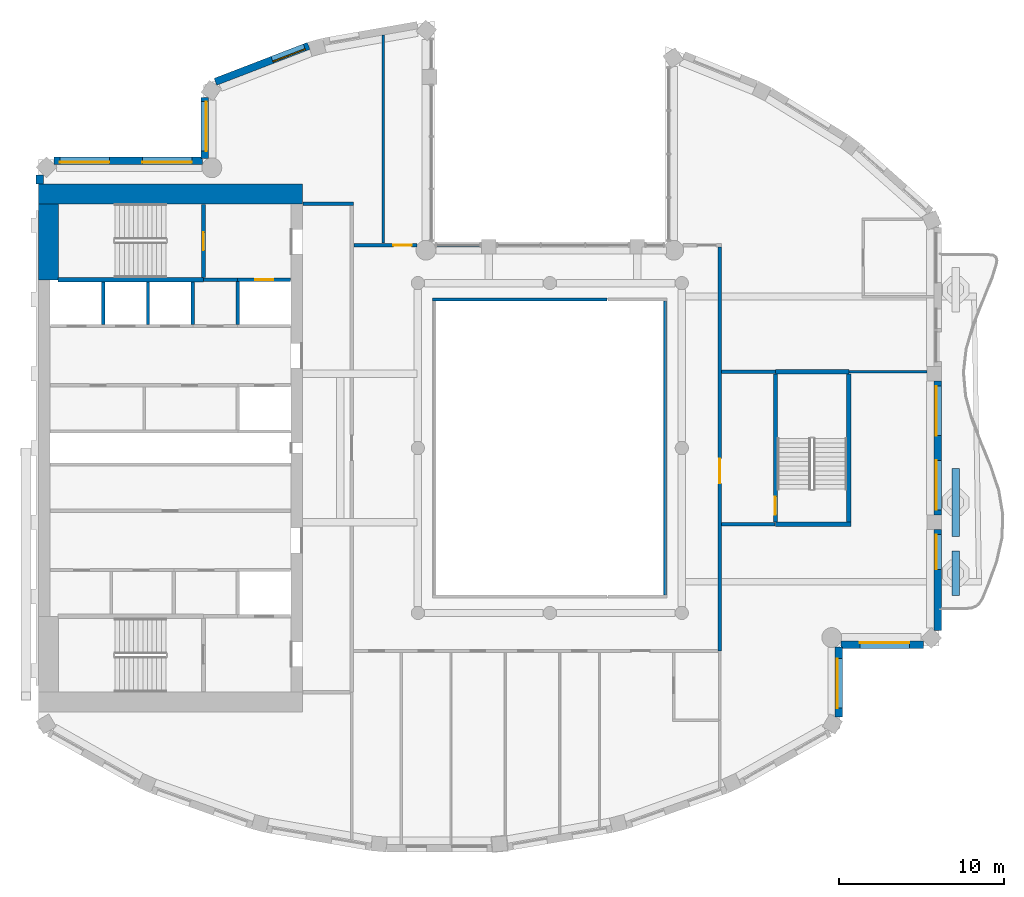
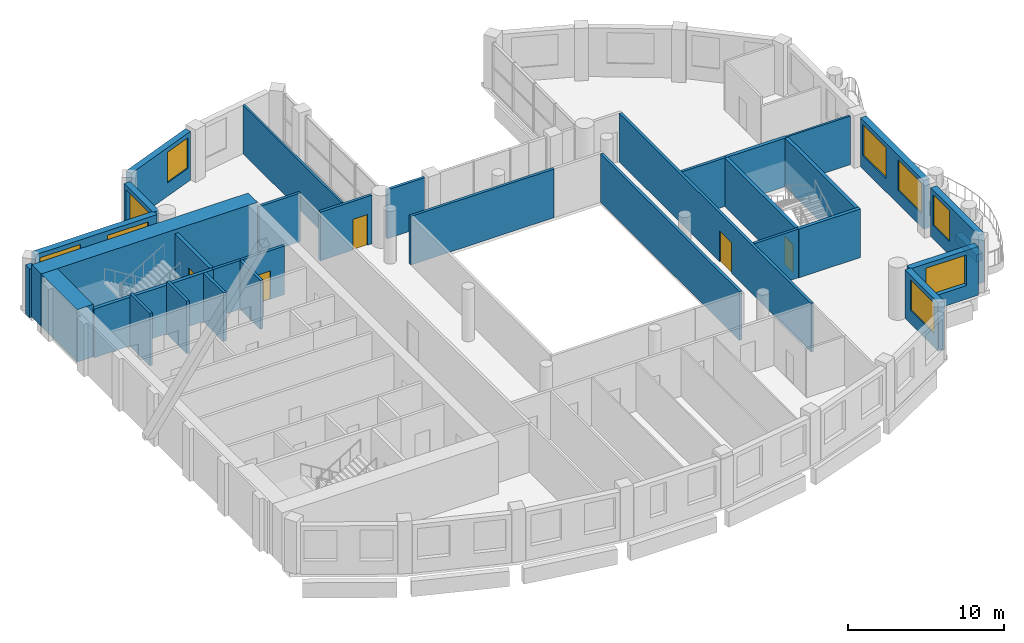
# One storey, part 6 of 15: 34 walls, 9 windows, 5 doors, 14 openings.
"""IFC4 building model written with IfcOpenShell, lengths in metres."""

from ifc_helpers import new_model, si_unit, direction, frame, frame_2d, origin, place, context, subcontext, project, spatial, rectangle, extrude, material, layer, layer_set, type_object, element, fill, save


model = new_model("IFC4")

# Units and contexts
model_context = context("Model", 3, precision=1e-05, world=origin(), true_north=direction((0.0, 1.0)))
body_context = subcontext(model_context, "Body", "Model", "MODEL_VIEW")
ifc_project = project(units=[si_unit("LENGTHUNIT", "METRE"), si_unit("AREAUNIT", "SQUARE_METRE"), si_unit("VOLUMEUNIT", "CUBIC_METRE"), si_unit("PLANEANGLEUNIT", "RADIAN"), si_unit("MASSUNIT", "GRAM", prefix="KILO")], contexts=[model_context])

# Site, building, storey
site_placement = place(None, origin())
site = spatial("IfcSite", under=ifc_project, at=site_placement, CompositionType="ELEMENT")
building_placement = place(site_placement, origin())
building = spatial("IfcBuilding", under=site, at=building_placement, Name="Cypress Arch Tower", CompositionType="ELEMENT")
storey_placement = place(building_placement, frame((0.0, 0.0, 313.10009765625)))
storey = spatial("IfcBuildingStorey", under=building, at=storey_placement, Name="L71", CompositionType="ELEMENT", Elevation=313.10009765625)

# Walls
ifc_material_1 = material(Name="Concrete C40/50, waterproofed", Category="concrete")
ifc_layer_1 = layer(ifc_material_1, 0.449951171875)
ifc_layer_set_1 = layer_set([ifc_layer_1], Name="Balcony planter wall PW450")
wall_type_1 = type_object("IfcWallType", Name="Balcony planter wall PW450", PredefinedType="SOLIDWALL", material=ifc_layer_set_1)
wall_1_placement = place(storey_placement, frame((25.60009765625, -8.949951171875, 0.0), z_axis=(0.0, 0.0, 1.0), x_axis=(0.0, 1.0, 0.0)))
element("IfcWall", 1, at=wall_1_placement, inside=storey, type_object=wall_type_1, Name="Balcony planter wall L71-C17.1", PredefinedType="SOLIDWALL", context=body_context, shape_type="SweptSolid", body=[
    extrude(rectangle(XDim=2.699951171875, YDim=0.449951171875, at=frame_2d((1.35009765625, 0.0))), origin(), (0.0, 0.0, 1.0), 0.599853515625),
])
wall_2_placement = place(storey_placement, frame((25.60009765625, -5.35009765625, 0.0), z_axis=(0.0, 0.0, 1.0), x_axis=(0.0, 1.0, 0.0)))
element("IfcWall", 2, at=wall_2_placement, inside=storey, type_object=wall_type_1, Name="Balcony planter wall L71-C17.2", PredefinedType="SOLIDWALL", context=body_context, shape_type="SweptSolid", body=[
    extrude(rectangle(XDim=4.10009765625, YDim=0.449951171875, at=frame_2d((2.050048828125, 0.0))), origin(), (0.0, 0.0, 1.0), 0.599853515625),
])

# Wall, opening, window
ifc_material_2 = material(Name="Brick (red buff blend)", Category="masonry")
ifc_layer_2 = layer(ifc_material_2, 0.449951171875)
ifc_layer_set_2 = layer_set([ifc_layer_2], Name="Brick pier and spandrel wall BW450")
wall_type_2 = type_object("IfcWallType", Name="Brick pier and spandrel wall BW450", PredefinedType="SOLIDWALL", material=ifc_layer_set_2)
wall_3_placement = place(storey_placement, frame((-13.6220703125, 24.376953125, 0.0), z_axis=(0.0, 0.0, 1.0), x_axis=(-0.933129259679, -0.359541075164, 0.0)))
wall_3 = element("IfcWall", 3, at=wall_3_placement, inside=storey, type_object=wall_type_2, Name="Brick wall L71 C04.0", PredefinedType="SOLIDWALL", context=body_context, shape_type="SweptSolid", body=[
    extrude(rectangle(XDim=6.05419921875, YDim=0.449951171875, at=frame_2d((3.027099609375, 0.0))), origin(), (0.0, 0.0, 1.0), 3.7998046875),
])
opening_1_placement = place(wall_3_placement, frame((0.260986328125, 0.0, 1.050048828125)))
opening_1 = element("IfcOpeningElement", 4, at=opening_1_placement, cuts=wall_3, Name="Opening W210O", PredefinedType="OPENING", context=body_context, shape_type="SweptSolid", body=[
    extrude(rectangle(XDim=2.10009765625, YDim=2.39990234375, at=frame_2d((1.050048828125, 1.199951171875))), frame((0.0, 0.23486328125, 0.0), z_axis=(0.0, -1.0, 0.0), x_axis=(1.0, 0.0, 0.0)), (0.0, 0.0, 1.0), 0.469970703125),
])
ifc_material_3 = material(Name="Anodised aluminium, bronze finish, clear low-emissivity double glazing", Category="aluminium")
window_type_1 = type_object("IfcWindowType", Name="Window Office 2100x2400", PartitioningType="SINGLE_PANEL", PredefinedType="WINDOW", material=ifc_material_3)
window_1_placement = place(opening_1_placement, origin())
window_1 = element("IfcWindow", 5, at=window_1_placement, inside=storey, type_object=window_type_1, Name="Window L71 C04.0.1", OverallHeight=2.39990234375, OverallWidth=2.10009765625, PartitioningType="SINGLE_PANEL", PredefinedType="WINDOW", context=body_context, shape_type="SweptSolid", body=[
    extrude(rectangle(XDim=2.10009765625, YDim=2.39990234375, at=frame_2d((1.050048828125, 1.199951171875))), frame((0.0, 0.135009765625, 0.0), z_axis=(0.0, -1.0, 0.0), x_axis=(1.0, 0.0, 0.0)), (0.0, 0.0, 1.0), 0.06005859375),
])
fill(opening_1, window_1)

wall_4_placement = place(storey_placement, frame((-19.925048828125, 21.248291015625, 0.0), z_axis=(0.0, 0.0, 1.0), x_axis=(0.0, -1.0, 0.0)))
wall_4 = element("IfcWall", 6, at=wall_4_placement, inside=storey, type_object=wall_type_2, Name="Brick wall L71 C05.0", PredefinedType="SOLIDWALL", context=body_context, shape_type="SweptSolid", body=[
    extrude(rectangle(XDim=3.699951171875, YDim=0.449951171875, at=frame_2d((1.85009765625, 0.0))), origin(), (0.0, 0.0, 1.0), 3.7998046875),
])
opening_2_placement = place(wall_4_placement, frame((0.251220703125, 0.0, 1.050048828125)))
opening_2 = element("IfcOpeningElement", 7, at=opening_2_placement, cuts=wall_4, Name="Opening W300O", PredefinedType="OPENING", context=body_context, shape_type="SweptSolid", body=[
    extrude(rectangle(XDim=3.0, YDim=2.39990234375, at=frame_2d((1.5, 1.199951171875))), frame((0.0, 0.23486328125, 0.0), z_axis=(0.0, -1.0, 0.0), x_axis=(1.0, 0.0, 0.0)), (0.0, 0.0, 1.0), 0.469970703125),
])
ifc_material_4 = material(Name="Anodised aluminium, bronze finish, clear low-emissivity double glazing", Category="aluminium")
window_type_2 = type_object("IfcWindowType", Name="Window Office 3000x2400", PartitioningType="SINGLE_PANEL", PredefinedType="WINDOW", material=ifc_material_4)
window_2_placement = place(opening_2_placement, origin())
window_2 = element("IfcWindow", 8, at=window_2_placement, inside=storey, type_object=window_type_2, Name="Window L71 C05.0.1", OverallHeight=2.39990234375, OverallWidth=3.0, PartitioningType="SINGLE_PANEL", PredefinedType="WINDOW", context=body_context, shape_type="SweptSolid", body=[
    extrude(rectangle(XDim=3.0, YDim=2.39990234375, at=frame_2d((1.5, 1.199951171875))), frame((0.0, 0.135009765625, 0.0), z_axis=(0.0, -1.0, 0.0), x_axis=(1.0, 0.0, 0.0)), (0.0, 0.0, 1.0), 0.06005859375),
])
fill(opening_2, window_2)

# Wall, openings, windows
wall_5_placement = place(storey_placement, frame((-20.04833984375, 17.425048828125, 0.0), z_axis=(0.0, 0.0, 1.0), x_axis=(-1.0, 0.0, 0.0)))
wall_5 = element("IfcWall", 9, at=wall_5_placement, inside=storey, type_object=wall_type_2, Name="Brick wall L71 C06.0", PredefinedType="SOLIDWALL", context=body_context, shape_type="SweptSolid", body=[
    extrude(rectangle(XDim=9.015380859375, YDim=0.449951171875, at=frame_2d((4.5078125, 0.0))), origin(), (0.0, 0.0, 1.0), 3.7998046875),
])
opening_3_placement = place(wall_5_placement, frame((0.651611328125, 0.0, 1.050048828125)))
opening_3 = element("IfcOpeningElement", 10, at=opening_3_placement, cuts=wall_5, Name="Opening W300O", PredefinedType="OPENING", context=body_context, shape_type="SweptSolid", body=[
    extrude(rectangle(XDim=3.0, YDim=2.39990234375, at=frame_2d((1.5, 1.199951171875))), frame((0.0, 0.23486328125, 0.0), z_axis=(0.0, -1.0, 0.0), x_axis=(1.0, 0.0, 0.0)), (0.0, 0.0, 1.0), 0.469970703125),
])
opening_4_placement = place(wall_5_placement, frame((5.651611328125, 0.0, 1.050048828125)))
opening_4 = element("IfcOpeningElement", 11, at=opening_4_placement, cuts=wall_5, Name="Opening W300O", PredefinedType="OPENING", context=body_context, shape_type="SweptSolid", body=[
    extrude(rectangle(XDim=3.0, YDim=2.39990234375, at=frame_2d((1.5, 1.199951171875))), frame((0.0, 0.23486328125, 0.0), z_axis=(0.0, -1.0, 0.0), x_axis=(1.0, 0.0, 0.0)), (0.0, 0.0, 1.0), 0.469970703125),
])
window_3_placement = place(opening_3_placement, origin())
window_3 = element("IfcWindow", 12, at=window_3_placement, inside=storey, type_object=window_type_2, Name="Window L71 C06.0.1", OverallHeight=2.39990234375, OverallWidth=3.0, PartitioningType="SINGLE_PANEL", PredefinedType="WINDOW", context=body_context, shape_type="SweptSolid", body=[
    extrude(rectangle(XDim=3.0, YDim=2.39990234375, at=frame_2d((1.5, 1.199951171875))), frame((0.0, 0.135009765625, 0.0), z_axis=(0.0, -1.0, 0.0), x_axis=(1.0, 0.0, 0.0)), (0.0, 0.0, 1.0), 0.06005859375),
])
fill(opening_3, window_3)
window_4_placement = place(opening_4_placement, origin())
window_4 = element("IfcWindow", 13, at=window_4_placement, inside=storey, type_object=window_type_2, Name="Window L71 C06.0.2", OverallHeight=2.39990234375, OverallWidth=3.0, PartitioningType="SINGLE_PANEL", PredefinedType="WINDOW", context=body_context, shape_type="SweptSolid", body=[
    extrude(rectangle(XDim=3.0, YDim=2.39990234375, at=frame_2d((1.5, 1.199951171875))), frame((0.0, 0.135009765625, 0.0), z_axis=(0.0, -1.0, 0.0), x_axis=(1.0, 0.0, 0.0)), (0.0, 0.0, 1.0), 0.06005859375),
])
fill(opening_4, window_4)

# Wall
wall_6_placement = place(storey_placement, frame((-29.925048828125, 16.563720703125, 0.0), z_axis=(0.0, 0.0, 1.0), x_axis=(0.0, -1.0, 0.0)))
element("IfcWall", 14, at=wall_6_placement, inside=storey, type_object=wall_type_2, Name="Brick wall L71 C07.0", PredefinedType="SOLIDWALL", context=body_context, shape_type="SweptSolid", body=[
    extrude(rectangle(XDim=0.563720703125, YDim=0.449951171875, at=frame_2d((0.28173828125, 0.0))), origin(), (0.0, 0.0, 1.0), 3.7998046875),
])

# Wall, opening, window
wall_7_placement = place(storey_placement, frame((18.52490234375, -16.3037109375, 0.0), z_axis=(0.0, 0.0, 1.0), x_axis=(0.0, 1.0, 0.0)))
wall_7 = element("IfcWall", 15, at=wall_7_placement, inside=storey, type_object=wall_type_2, Name="Brick wall L71 C15.0", PredefinedType="SOLIDWALL", context=body_context, shape_type="SweptSolid", body=[
    extrude(rectangle(XDim=4.25537109375, YDim=0.449951171875, at=frame_2d((2.127685546875, 0.0))), origin(), (0.0, 0.0, 1.0), 3.7998046875),
])
opening_5_placement = place(wall_7_placement, frame((0.541259765625, 0.0, 1.050048828125)))
opening_5 = element("IfcOpeningElement", 16, at=opening_5_placement, cuts=wall_7, Name="Opening W300O", PredefinedType="OPENING", context=body_context, shape_type="SweptSolid", body=[
    extrude(rectangle(XDim=3.0, YDim=2.39990234375, at=frame_2d((1.5, 1.199951171875))), frame((0.0, 0.23486328125, 0.0), z_axis=(0.0, -1.0, 0.0), x_axis=(1.0, 0.0, 0.0)), (0.0, 0.0, 1.0), 0.469970703125),
])
window_5_placement = place(opening_5_placement, origin())
window_5 = element("IfcWindow", 17, at=window_5_placement, inside=storey, type_object=window_type_2, Name="Window L71 C15.0.1", OverallHeight=2.39990234375, OverallWidth=3.0, PartitioningType="SINGLE_PANEL", PredefinedType="WINDOW", context=body_context, shape_type="SweptSolid", body=[
    extrude(rectangle(XDim=3.0, YDim=2.39990234375, at=frame_2d((1.5, 1.199951171875))), frame((0.0, 0.135009765625, 0.0), z_axis=(0.0, -1.0, 0.0), x_axis=(1.0, 0.0, 0.0)), (0.0, 0.0, 1.0), 0.06005859375),
])
fill(opening_5, window_5)

wall_8_placement = place(storey_placement, frame((18.6484375, -11.925048828125, 0.0), z_axis=(0.0, 0.0, 1.0), x_axis=(1.0, 0.0, 0.0)))
wall_8 = element("IfcWall", 18, at=wall_8_placement, inside=storey, type_object=wall_type_2, Name="Brick wall L71 C16.0", PredefinedType="SOLIDWALL", context=body_context, shape_type="SweptSolid", body=[
    extrude(rectangle(XDim=5.01513671875, YDim=0.449951171875, at=frame_2d((2.507568359375, 0.0))), origin(), (0.0, 0.0, 1.0), 3.7998046875),
])
opening_6_placement = place(wall_8_placement, frame((1.151611328125, 0.0, 1.050048828125)))
opening_6 = element("IfcOpeningElement", 19, at=opening_6_placement, cuts=wall_8, Name="Opening W300O", PredefinedType="OPENING", context=body_context, shape_type="SweptSolid", body=[
    extrude(rectangle(XDim=3.0, YDim=2.39990234375, at=frame_2d((1.5, 1.199951171875))), frame((0.0, 0.23486328125, 0.0), z_axis=(0.0, -1.0, 0.0), x_axis=(1.0, 0.0, 0.0)), (0.0, 0.0, 1.0), 0.469970703125),
])
window_6_placement = place(opening_6_placement, origin())
window_6 = element("IfcWindow", 20, at=window_6_placement, inside=storey, type_object=window_type_2, Name="Window L71 C16.0.1", OverallHeight=2.39990234375, OverallWidth=3.0, PartitioningType="SINGLE_PANEL", PredefinedType="WINDOW", context=body_context, shape_type="SweptSolid", body=[
    extrude(rectangle(XDim=3.0, YDim=2.39990234375, at=frame_2d((1.5, 1.199951171875))), frame((0.0, 0.135009765625, 0.0), z_axis=(0.0, -1.0, 0.0), x_axis=(1.0, 0.0, 0.0)), (0.0, 0.0, 1.0), 0.06005859375),
])
fill(opening_6, window_6)

wall_9_placement = place(storey_placement, frame((24.52490234375, -11.063720703125, 0.0), z_axis=(0.0, 0.0, 1.0), x_axis=(0.0, 1.0, 0.0)))
wall_9 = element("IfcWall", 21, at=wall_9_placement, inside=storey, type_object=wall_type_2, Name="Brick wall L71 C17.0", PredefinedType="SOLIDWALL", context=body_context, shape_type="SweptSolid", body=[
    extrude(rectangle(XDim=6.11376953125, YDim=0.449951171875, at=frame_2d((3.056884765625, 0.0))), origin(), (0.0, 0.0, 1.0), 3.7998046875),
])
opening_7_placement = place(wall_9_placement, frame((3.713623046875, 0.0, 1.050048828125)))
opening_7 = element("IfcOpeningElement", 22, at=opening_7_placement, cuts=wall_9, Name="Opening W210OD", PredefinedType="OPENING", context=body_context, shape_type="SweptSolid", body=[
    extrude(rectangle(XDim=2.10009765625, YDim=2.39990234375, at=frame_2d((1.050048828125, 1.199951171875))), frame((0.0, 0.23486328125, 0.0), z_axis=(0.0, -1.0, 0.0), x_axis=(1.0, 0.0, 0.0)), (0.0, 0.0, 1.0), 0.469970703125),
])
ifc_material_5 = material(Name="Anodised aluminium, bronze finish, laminated low-emissivity double glazing, large-missile impact rated", Category="aluminium")
window_type_3 = type_object("IfcWindowType", Name="Window Office 2100x2400 debris-rated", PartitioningType="SINGLE_PANEL", PredefinedType="WINDOW", material=ifc_material_5)
window_7_placement = place(opening_7_placement, origin())
window_7 = element("IfcWindow", 23, at=window_7_placement, inside=storey, type_object=window_type_3, Name="Window L71 C17.0.2", OverallHeight=2.39990234375, OverallWidth=2.10009765625, PartitioningType="SINGLE_PANEL", PredefinedType="WINDOW", context=body_context, shape_type="SweptSolid", body=[
    extrude(rectangle(XDim=2.10009765625, YDim=2.39990234375, at=frame_2d((1.050048828125, 1.199951171875))), frame((0.0, 0.135009765625, 0.0), z_axis=(0.0, -1.0, 0.0), x_axis=(1.0, 0.0, 0.0)), (0.0, 0.0, 1.0), 0.06005859375),
])
fill(opening_7, window_7)

# Wall, openings, windows
wall_10_placement = place(storey_placement, frame((24.52490234375, -4.050048828125, 0.0), z_axis=(0.0, 0.0, 1.0), x_axis=(0.0, 1.0, 0.0)))
wall_10 = element("IfcWall", 24, at=wall_10_placement, inside=storey, type_object=wall_type_2, Name="Brick wall L71 C17.1", PredefinedType="SOLIDWALL", context=body_context, shape_type="SweptSolid", body=[
    extrude(rectangle(XDim=8.10009765625, YDim=0.449951171875, at=frame_2d((4.050048828125, 0.0))), origin(), (0.0, 0.0, 1.0), 3.7998046875),
])
opening_8_placement = place(wall_10_placement, frame((0.300048828125, 0.0, 1.050048828125)))
opening_8 = element("IfcOpeningElement", 25, at=opening_8_placement, cuts=wall_10, Name="Opening W300OD", PredefinedType="OPENING", context=body_context, shape_type="SweptSolid", body=[
    extrude(rectangle(XDim=3.0, YDim=2.39990234375, at=frame_2d((1.5, 1.199951171875))), frame((0.0, 0.23486328125, 0.0), z_axis=(0.0, -1.0, 0.0), x_axis=(1.0, 0.0, 0.0)), (0.0, 0.0, 1.0), 0.469970703125),
])
opening_9_placement = place(wall_10_placement, frame((4.800048828125, 0.0, 1.050048828125)))
opening_9 = element("IfcOpeningElement", 26, at=opening_9_placement, cuts=wall_10, Name="Opening W300OD", PredefinedType="OPENING", context=body_context, shape_type="SweptSolid", body=[
    extrude(rectangle(XDim=3.0, YDim=2.39990234375, at=frame_2d((1.5, 1.199951171875))), frame((0.0, 0.23486328125, 0.0), z_axis=(0.0, -1.0, 0.0), x_axis=(1.0, 0.0, 0.0)), (0.0, 0.0, 1.0), 0.469970703125),
])
ifc_material_6 = material(Name="Anodised aluminium, bronze finish, laminated low-emissivity double glazing, large-missile impact rated", Category="aluminium")
window_type_4 = type_object("IfcWindowType", Name="Window Office 3000x2400 debris-rated", PartitioningType="SINGLE_PANEL", PredefinedType="WINDOW", material=ifc_material_6)
window_8_placement = place(opening_8_placement, origin())
window_8 = element("IfcWindow", 27, at=window_8_placement, inside=storey, type_object=window_type_4, Name="Window L71 C17.1.1", OverallHeight=2.39990234375, OverallWidth=3.0, PartitioningType="SINGLE_PANEL", PredefinedType="WINDOW", context=body_context, shape_type="SweptSolid", body=[
    extrude(rectangle(XDim=3.0, YDim=2.39990234375, at=frame_2d((1.5, 1.199951171875))), frame((0.0, 0.135009765625, 0.0), z_axis=(0.0, -1.0, 0.0), x_axis=(1.0, 0.0, 0.0)), (0.0, 0.0, 1.0), 0.06005859375),
])
fill(opening_8, window_8)
window_9_placement = place(opening_9_placement, origin())
window_9 = element("IfcWindow", 28, at=window_9_placement, inside=storey, type_object=window_type_4, Name="Window L71 C17.1.2", OverallHeight=2.39990234375, OverallWidth=3.0, PartitioningType="SINGLE_PANEL", PredefinedType="WINDOW", context=body_context, shape_type="SweptSolid", body=[
    extrude(rectangle(XDim=3.0, YDim=2.39990234375, at=frame_2d((1.5, 1.199951171875))), frame((0.0, 0.135009765625, 0.0), z_axis=(0.0, -1.0, 0.0), x_axis=(1.0, 0.0, 0.0)), (0.0, 0.0, 1.0), 0.06005859375),
])
fill(opening_9, window_9)

# Walls
ifc_material_7 = material(Name="Concrete C60/75", Category="concrete")
ifc_layer_3 = layer(ifc_material_7, 1.199951171875)
ifc_layer_set_3 = layer_set([ifc_layer_3], Name="Core wall CW1200 C60/75")
wall_type_3 = type_object("IfcWallType", Name="Core wall CW1200 C60/75", PredefinedType="SHEAR", material=ifc_layer_set_3)
wall_11_placement = place(storey_placement, frame((-30.0, 15.39990234375, 0.0), z_axis=(0.0, 0.0, 1.0), x_axis=(1.0, 0.0, 0.0)))
element("IfcWall", 29, at=wall_11_placement, inside=storey, type_object=wall_type_3, Name="Core wall", PredefinedType="SHEAR", context=body_context, shape_type="SweptSolid", body=[
    extrude(rectangle(XDim=16.0, YDim=1.199951171875, at=frame_2d((8.0, 0.0))), origin(), (0.0, 0.0, 1.0), 4.099853515625),
])
wall_12_placement = place(storey_placement, frame((-29.39990234375, 10.199951171875, 0.0), z_axis=(0.0, 0.0, 1.0), x_axis=(0.0, 1.0, 0.0)))
element("IfcWall", 30, at=wall_12_placement, inside=storey, type_object=wall_type_3, Name="Core wall", PredefinedType="SHEAR", context=body_context, shape_type="SweptSolid", body=[
    extrude(rectangle(XDim=4.60009765625, YDim=1.199951171875, at=frame_2d((2.300048828125, 0.0))), origin(), (0.0, 0.0, 1.0), 4.099853515625),
])
ifc_material_8 = material(Name="Concrete blockwork, plastered, rated", Category="masonry")
ifc_layer_4 = layer(ifc_material_8, 0.199951171875)
ifc_layer_set_4 = layer_set([ifc_layer_4], Name="Corridor wall FW200")
wall_type_4 = type_object("IfcWallType", Name="Corridor wall FW200", PredefinedType="PARTITIONING", material=ifc_layer_set_4)
wall_13_placement = place(storey_placement, frame((-20.0, 10.199951171875, 0.0), z_axis=(0.0, 0.0, 1.0), x_axis=(1.0, 0.0, 0.0)))
element("IfcWall", 31, at=wall_13_placement, inside=storey, type_object=wall_type_4, Name="Corridor wall", PredefinedType="PARTITIONING", context=body_context, shape_type="SweptSolid", body=[
    extrude(rectangle(XDim=2.080078125, YDim=0.199951171875, at=frame_2d((1.0400390625, 0.0))), origin(), (0.0, 0.0, 1.0), 3.7998046875),
])
wall_14_placement = place(storey_placement, frame((-13.969970703125, 14.800048828125, 0.0), z_axis=(0.0, 0.0, 1.0), x_axis=(1.0, 0.0, 0.0)))
element("IfcWall", 32, at=wall_14_placement, inside=storey, type_object=wall_type_4, Name="Corridor wall", PredefinedType="PARTITIONING", context=body_context, shape_type="SweptSolid", body=[
    extrude(rectangle(XDim=3.070068359375, YDim=0.199951171875, at=frame_2d((1.53515625, 0.0))), origin(), (0.0, 0.0, 1.0), 3.7998046875),
])

# Wall, opening, door
wall_15_placement = place(storey_placement, frame((-10.8798828125, 12.300048828125, 0.0), z_axis=(0.0, 0.0, 1.0), x_axis=(1.0, 0.0, 0.0)))
wall_15 = element("IfcWall", 33, at=wall_15_placement, inside=storey, type_object=wall_type_4, Name="Corridor wall", PredefinedType="PARTITIONING", context=body_context, shape_type="SweptSolid", body=[
    extrude(rectangle(XDim=3.817626953125, YDim=0.199951171875, at=frame_2d((1.90869140625, 0.0))), origin(), (0.0, 0.0, 1.0), 3.7998046875),
])
opening_10_placement = place(wall_15_placement, frame((2.39990234375, 0.0, 0.0)))
opening_10 = element("IfcOpeningElement", 34, at=opening_10_placement, cuts=wall_15, Name="Opening D01", PredefinedType="OPENING", context=body_context, shape_type="SweptSolid", body=[
    extrude(rectangle(XDim=1.10009765625, YDim=2.39990234375, at=frame_2d((0.550048828125, 1.199951171875))), frame((0.0, 0.10986328125, 0.0), z_axis=(0.0, -1.0, 0.0), x_axis=(1.0, 0.0, 0.0)), (0.0, 0.0, 1.0), 0.219970703125),
])
ifc_material_9 = material(Name="Timber flush door, fire resisting, self-closing", Category="wood")
door_type_1 = type_object("IfcDoorType", Name="Unit entrance door D01 1100x2400", OperationType="SINGLE_SWING_LEFT", PredefinedType="DOOR", material=ifc_material_9)
door_1_placement = place(opening_10_placement, origin())
door_1 = element("IfcDoor", 35, at=door_1_placement, inside=storey, type_object=door_type_1, Name="Unit entrance door", OperationType="SINGLE_SWING_LEFT", OverallHeight=2.39990234375, OverallWidth=1.10009765625, PredefinedType="DOOR", context=body_context, shape_type="SweptSolid", body=[
    extrude(rectangle(XDim=1.10009765625, YDim=2.39990234375, at=frame_2d((0.550048828125, 1.199951171875))), frame((0.0, 0.02490234375, 0.0), z_axis=(0.0, -1.0, 0.0), x_axis=(1.0, 0.0, 0.0)), (0.0, 0.0, 1.0), 0.050048828125),
])
fill(opening_10, door_1)

# Walls
wall_16_placement = place(storey_placement, frame((-5.9619140625, 12.300048828125, 0.0), z_axis=(0.0, 0.0, 1.0), x_axis=(1.0, 0.0, 0.0)))
element("IfcWall", 36, at=wall_16_placement, inside=storey, type_object=wall_type_4, Name="Corridor wall", PredefinedType="PARTITIONING", context=body_context, shape_type="SweptSolid", body=[
    extrude(rectangle(XDim=2.81201171875, YDim=0.199951171875, at=frame_2d((1.406005859375, 0.0))), origin(), (0.0, 0.0, 1.0), 3.7998046875),
])
wall_17_placement = place(storey_placement, frame((-6.10009765625, 9.0, 0.0), z_axis=(0.0, 0.0, 1.0), x_axis=(1.0, 0.0, 0.0)))
element("IfcWall", 37, at=wall_17_placement, inside=storey, type_object=wall_type_4, Name="Corridor wall", PredefinedType="PARTITIONING", context=body_context, shape_type="SweptSolid", body=[
    extrude(rectangle(XDim=10.580078125, YDim=0.199951171875, at=frame_2d((5.2900390625, 0.0))), origin(), (0.0, 0.0, 1.0), 3.7998046875),
])
wall_18_placement = place(storey_placement, frame((8.0, -8.89990234375, 0.0), z_axis=(0.0, 0.0, 1.0), x_axis=(0.0, 1.0, 0.0)))
element("IfcWall", 38, at=wall_18_placement, inside=storey, type_object=wall_type_4, Name="Corridor wall", PredefinedType="PARTITIONING", context=body_context, shape_type="SweptSolid", body=[
    extrude(rectangle(XDim=17.7998046875, YDim=0.199951171875, at=frame_2d((8.89990234375, 0.0))), origin(), (0.0, 0.0, 1.0), 3.7998046875),
])

# Wall, opening, door
wall_19_placement = place(storey_placement, frame((11.300048828125, -12.300048828125, 0.0), z_axis=(0.0, 0.0, 1.0), x_axis=(0.0, 1.0, 0.0)))
wall_19 = element("IfcWall", 39, at=wall_19_placement, inside=storey, type_object=wall_type_4, Name="Corridor wall", PredefinedType="PARTITIONING", context=body_context, shape_type="SweptSolid", body=[
    extrude(rectangle(XDim=24.5, YDim=0.199951171875, at=frame_2d((12.25, 0.0))), origin(), (0.0, 0.0, 1.0), 3.7998046875),
])
opening_11_placement = place(wall_19_placement, frame((10.14990234375, 0.0, 0.0)))
opening_11 = element("IfcOpeningElement", 40, at=opening_11_placement, cuts=wall_19, Name="Opening D07", PredefinedType="OPENING", context=body_context, shape_type="SweptSolid", body=[
    extrude(rectangle(XDim=1.5, YDim=2.39990234375, at=frame_2d((0.75, 1.199951171875))), frame((0.0, 0.10986328125, 0.0), z_axis=(0.0, -1.0, 0.0), x_axis=(1.0, 0.0, 0.0)), (0.0, 0.0, 1.0), 0.219970703125),
])
ifc_material_10 = material(Name="Steel framed glazed door, fire resisting", Category="steel")
door_type_2 = type_object("IfcDoorType", Name="Lobby door D07 1500x2400", OperationType="DOUBLE_DOOR_SINGLE_SWING", PredefinedType="DOOR", material=ifc_material_10)
door_2_placement = place(opening_11_placement, origin())
door_2 = element("IfcDoor", 41, at=door_2_placement, inside=storey, type_object=door_type_2, Name="Lobby door", OperationType="DOUBLE_DOOR_SINGLE_SWING", OverallHeight=2.39990234375, OverallWidth=1.5, PredefinedType="DOOR", context=body_context, shape_type="SweptSolid", body=[
    extrude(rectangle(XDim=1.5, YDim=2.39990234375, at=frame_2d((0.75, 1.199951171875))), frame((0.0, 0.02490234375, 0.0), z_axis=(0.0, -1.0, 0.0), x_axis=(1.0, 0.0, 0.0)), (0.0, 0.0, 1.0), 0.050048828125),
])
fill(opening_11, door_2)

# Walls
wall_20_placement = place(storey_placement, frame((11.39990234375, 4.625, 0.0), z_axis=(0.0, 0.0, 1.0), x_axis=(1.0, 0.0, 0.0)))
element("IfcWall", 42, at=wall_20_placement, inside=storey, type_object=wall_type_4, Name="Corridor wall", PredefinedType="PARTITIONING", context=body_context, shape_type="SweptSolid", body=[
    extrude(rectangle(XDim=3.275146484375, YDim=0.199951171875, at=frame_2d((1.6376953125, 0.0))), origin(), (0.0, 0.0, 1.0), 3.7998046875),
])
wall_21_placement = place(storey_placement, frame((11.419921875, -4.625, 0.0), z_axis=(0.0, 0.0, 1.0), x_axis=(1.0, 0.0, 0.0)))
element("IfcWall", 43, at=wall_21_placement, inside=storey, type_object=wall_type_4, Name="Corridor wall", PredefinedType="PARTITIONING", context=body_context, shape_type="SweptSolid", body=[
    extrude(rectangle(XDim=3.235107421875, YDim=0.199951171875, at=frame_2d((1.61767578125, 0.0))), origin(), (0.0, 0.0, 1.0), 3.7998046875),
])
ifc_material_11 = material(Name="Blockwork, plastered both sides", Category="masonry")
ifc_layer_5 = layer(ifc_material_11, 0.14990234375)
ifc_layer_set_5 = layer_set([ifc_layer_5], Name="Partition PW150")
wall_type_5 = type_object("IfcWallType", Name="Partition PW150", PredefinedType="PARTITIONING", material=ifc_layer_set_5)
wall_22_placement = place(storey_placement, frame((-9.10791015625, 12.419921875, 0.0), z_axis=(0.0, 0.0, 1.0), x_axis=(0.0, 1.0, 0.0)))
element("IfcWall", 44, at=wall_22_placement, inside=storey, type_object=wall_type_5, Name="Partition", PredefinedType="PARTITIONING", context=body_context, shape_type="SweptSolid", body=[
    extrude(rectangle(XDim=12.6171875, YDim=0.14990234375, at=frame_2d((6.30859375, 0.0))), origin(), (0.0, 0.0, 1.0), 3.7998046875),
])
wall_23_placement = place(storey_placement, frame((19.14501953125, 4.625, 0.0), z_axis=(0.0, 0.0, 1.0), x_axis=(1.0, 0.0, 0.0)))
element("IfcWall", 45, at=wall_23_placement, inside=storey, type_object=wall_type_5, Name="Partition", PredefinedType="PARTITIONING", context=body_context, shape_type="SweptSolid", body=[
    extrude(rectangle(XDim=4.705078125, YDim=0.14990234375, at=frame_2d((2.3525390625, 0.0))), origin(), (0.0, 0.0, 1.0), 3.7998046875),
])
ifc_material_12 = material(Name="Concrete C50/60", Category="concrete")
ifc_layer_6 = layer(ifc_material_12, 0.199951171875)
ifc_layer_set_6 = layer_set([ifc_layer_6], Name="Shaft wall SH200")
wall_type_6 = type_object("IfcWallType", Name="Shaft wall SH200", PredefinedType="SHEAR", material=ifc_layer_set_6)
for number, where, z_axis, x_axis, name in (
    (46, (-26.080078125, 7.5, 0.0), (0.0, 0.0, 1.0), (0.0, 1.0, 0.0), "Shaft wall"),
    (47, (-23.360107421875, 7.5, 0.0), (0.0, 0.0, 1.0), (0.0, 1.0, 0.0), "Shaft wall"),
):
    element("IfcWall", number, at=place(storey_placement, frame(where, z_axis=z_axis, x_axis=x_axis)), inside=storey, type_object=wall_type_6, Name=name, PredefinedType="SHEAR", context=body_context, shape_type="SweptSolid", body=[
        extrude(rectangle(XDim=2.574951171875, YDim=0.199951171875, at=frame_2d((1.28759765625, 0.0))), origin(), (0.0, 0.0, 1.0), 4.099853515625),
    ])
wall_24_placement = place(storey_placement, frame((-20.639892578125, 7.5, 0.0), z_axis=(0.0, 0.0, 1.0), x_axis=(0.0, 1.0, 0.0)))
element("IfcWall", 48, at=wall_24_placement, inside=storey, type_object=wall_type_6, Name="Shaft wall", PredefinedType="SHEAR", context=body_context, shape_type="SweptSolid", body=[
    extrude(rectangle(XDim=2.574951171875, YDim=0.199951171875, at=frame_2d((1.28759765625, 0.0))), origin(), (0.0, 0.0, 1.0), 3.7998046875),
])
wall_25_placement = place(storey_placement, frame((-17.919921875, 7.5, 0.0), z_axis=(0.0, 0.0, 1.0), x_axis=(0.0, 1.0, 0.0)))
element("IfcWall", 49, at=wall_25_placement, inside=storey, type_object=wall_type_6, Name="Shaft wall", PredefinedType="SHEAR", context=body_context, shape_type="SweptSolid", body=[
    extrude(rectangle(XDim=2.60009765625, YDim=0.199951171875, at=frame_2d((1.300048828125, 0.0))), origin(), (0.0, 0.0, 1.0), 3.7998046875),
])

# Wall, opening, door
wall_26_placement = place(storey_placement, frame((-17.919921875, 10.199951171875, 0.0), z_axis=(0.0, 0.0, 1.0), x_axis=(1.0, 0.0, 0.0)))
wall_26 = element("IfcWall", 50, at=wall_26_placement, inside=storey, type_object=wall_type_6, Name="Shaft wall", PredefinedType="SHEAR", context=body_context, shape_type="SweptSolid", body=[
    extrude(rectangle(XDim=3.18994140625, YDim=0.199951171875, at=frame_2d((1.594970703125, 0.0))), origin(), (0.0, 0.0, 1.0), 3.7998046875),
])
opening_12_placement = place(wall_26_placement, frame((1.050048828125, 0.0, 0.0)))
opening_12 = element("IfcOpeningElement", 51, at=opening_12_placement, cuts=wall_26, Name="Opening LD-FL2", PredefinedType="OPENING", context=body_context, shape_type="SweptSolid", body=[
    extrude(rectangle(XDim=1.10009765625, YDim=2.199951171875, at=frame_2d((0.550048828125, 1.10009765625))), frame((0.0, 0.10986328125, 0.0), z_axis=(0.0, -1.0, 0.0), x_axis=(1.0, 0.0, 0.0)), (0.0, 0.0, 1.0), 0.219970703125),
])
ifc_material_13 = material(Name="Stainless steel centre-opening landing door, rated", Category="steel")
door_type_3 = type_object("IfcDoorType", Name="Lift landing door LD 1100x2200", OperationType="DOUBLE_DOOR_SLIDING", PredefinedType="DOOR", material=ifc_material_13)
door_3_placement = place(opening_12_placement, origin())
door_3 = element("IfcDoor", 52, at=door_3_placement, inside=storey, type_object=door_type_3, Name="Lift landing doors FL2", OperationType="DOUBLE_DOOR_SLIDING", OverallHeight=2.199951171875, OverallWidth=1.10009765625, PredefinedType="DOOR", context=body_context, shape_type="SweptSolid", body=[
    extrude(rectangle(XDim=1.10009765625, YDim=2.199951171875, at=frame_2d((0.550048828125, 1.10009765625))), frame((0.0, 0.02490234375, 0.0), z_axis=(0.0, -1.0, 0.0), x_axis=(1.0, 0.0, 0.0)), (0.0, 0.0, 1.0), 0.050048828125),
])
fill(opening_12, door_3)

# Wall
ifc_material_14 = material(Name="Concrete C50/60", Category="concrete")
ifc_layer_7 = layer(ifc_material_14, 0.25)
ifc_layer_set_7 = layer_set([ifc_layer_7], Name="Stair enclosure wall SW250")
wall_type_7 = type_object("IfcWallType", Name="Stair enclosure wall SW250", PredefinedType="SHEAR", material=ifc_layer_set_7)
wall_27_placement = place(storey_placement, frame((-28.81005859375, 10.199951171875, 0.0), z_axis=(0.0, 0.0, 1.0), x_axis=(1.0, 0.0, 0.0)))
element("IfcWall", 53, at=wall_27_placement, inside=storey, type_object=wall_type_7, Name="Stair enclosure wall", PredefinedType="SHEAR", context=body_context, shape_type="SweptSolid", body=[
    extrude(rectangle(XDim=8.81005859375, YDim=0.25, at=frame_2d((4.405029296875, 0.0))), origin(), (0.0, 0.0, 1.0), 3.7998046875),
])

# Wall, opening, door
wall_28_placement = place(storey_placement, frame((-20.0, 10.324951171875, 0.0), z_axis=(0.0, 0.0, 1.0), x_axis=(0.0, 1.0, 0.0)))
wall_28 = element("IfcWall", 54, at=wall_28_placement, inside=storey, type_object=wall_type_7, Name="Stair enclosure wall", PredefinedType="SHEAR", context=body_context, shape_type="SweptSolid", body=[
    extrude(rectangle(XDim=4.445068359375, YDim=0.25, at=frame_2d((2.22265625, 0.0))), origin(), (0.0, 0.0, 1.0), 3.7998046875),
])
opening_13_placement = place(wall_28_placement, frame((1.64990234375, 0.0, 0.0)))
opening_13 = element("IfcOpeningElement", 55, at=opening_13_placement, cuts=wall_28, Name="Opening D06", PredefinedType="OPENING", context=body_context, shape_type="SweptSolid", body=[
    extrude(rectangle(XDim=1.10009765625, YDim=2.199951171875, at=frame_2d((0.550048828125, 1.10009765625))), frame((0.0, 0.135009765625, 0.0), z_axis=(0.0, -1.0, 0.0), x_axis=(1.0, 0.0, 0.0)), (0.0, 0.0, 1.0), 0.27001953125),
])
ifc_material_15 = material(Name="Steel door, fire resisting, panic bar", Category="steel")
door_type_4 = type_object("IfcDoorType", Name="Stair door D06 1100x2200", OperationType="SINGLE_SWING_LEFT", PredefinedType="DOOR", material=ifc_material_15)
door_4_placement = place(opening_13_placement, origin())
door_4 = element("IfcDoor", 56, at=door_4_placement, inside=storey, type_object=door_type_4, Name="Stair door", OperationType="SINGLE_SWING_LEFT", OverallHeight=2.199951171875, OverallWidth=1.10009765625, PredefinedType="DOOR", context=body_context, shape_type="SweptSolid", body=[
    extrude(rectangle(XDim=1.10009765625, YDim=2.199951171875, at=frame_2d((0.550048828125, 1.10009765625))), frame((0.0, 0.02490234375, 0.0), z_axis=(0.0, -1.0, 0.0), x_axis=(1.0, 0.0, 0.0)), (0.0, 0.0, 1.0), 0.050048828125),
])
fill(opening_13, door_4)

wall_29_placement = place(storey_placement, frame((14.675048828125, -4.5, 0.0), z_axis=(0.0, 0.0, 1.0), x_axis=(0.0, 1.0, 0.0)))
wall_29 = element("IfcWall", 57, at=wall_29_placement, inside=storey, type_object=wall_type_7, Name="Stair enclosure wall", PredefinedType="SHEAR", context=body_context, shape_type="SweptSolid", body=[
    extrude(rectangle(XDim=9.0, YDim=0.25, at=frame_2d((4.5, 0.0))), origin(), (0.0, 0.0, 1.0), 3.7998046875),
])
opening_14_placement = place(wall_29_placement, frame((0.449951171875, 0.0, 0.0)))
opening_14 = element("IfcOpeningElement", 58, at=opening_14_placement, cuts=wall_29, Name="Opening D06", PredefinedType="OPENING", context=body_context, shape_type="SweptSolid", body=[
    extrude(rectangle(XDim=1.10009765625, YDim=2.199951171875, at=frame_2d((0.550048828125, 1.10009765625))), frame((0.0, 0.135009765625, 0.0), z_axis=(0.0, -1.0, 0.0), x_axis=(1.0, 0.0, 0.0)), (0.0, 0.0, 1.0), 0.27001953125),
])
door_5_placement = place(opening_14_placement, origin())
door_5 = element("IfcDoor", 59, at=door_5_placement, inside=storey, type_object=door_type_4, Name="Stair door", OperationType="SINGLE_SWING_RIGHT", OverallHeight=2.199951171875, OverallWidth=1.10009765625, PredefinedType="DOOR", context=body_context, shape_type="SweptSolid", body=[
    extrude(rectangle(XDim=1.10009765625, YDim=2.199951171875, at=frame_2d((0.550048828125, 1.10009765625))), frame((0.0, 0.02490234375, 0.0), z_axis=(0.0, -1.0, 0.0), x_axis=(1.0, 0.0, 0.0)), (0.0, 0.0, 1.0), 0.050048828125),
])
fill(opening_14, door_5)

# Walls
wall_30_placement = place(storey_placement, frame((14.675048828125, -4.625, 0.0), z_axis=(0.0, 0.0, 1.0), x_axis=(1.0, 0.0, 0.0)))
element("IfcWall", 60, at=wall_30_placement, inside=storey, type_object=wall_type_7, Name="Stair enclosure wall", PredefinedType="SHEAR", context=body_context, shape_type="SweptSolid", body=[
    extrude(rectangle(XDim=4.574951171875, YDim=0.25, at=frame_2d((2.28759765625, 0.0))), origin(), (0.0, 0.0, 1.0), 3.7998046875),
])
wall_31_placement = place(storey_placement, frame((14.675048828125, 4.625, 0.0), z_axis=(0.0, 0.0, 1.0), x_axis=(1.0, 0.0, 0.0)))
element("IfcWall", 61, at=wall_31_placement, inside=storey, type_object=wall_type_7, Name="Stair enclosure wall", PredefinedType="SHEAR", context=body_context, shape_type="SweptSolid", body=[
    extrude(rectangle(XDim=4.449951171875, YDim=0.25, at=frame_2d((2.22509765625, 0.0))), origin(), (0.0, 0.0, 1.0), 3.7998046875),
])
wall_32_placement = place(storey_placement, frame((19.125, -4.5, 0.0), z_axis=(0.0, 0.0, 1.0), x_axis=(0.0, 1.0, 0.0)))
element("IfcWall", 62, at=wall_32_placement, inside=storey, type_object=wall_type_7, Name="Stair enclosure wall", PredefinedType="SHEAR", context=body_context, shape_type="SweptSolid", body=[
    extrude(rectangle(XDim=9.0, YDim=0.25, at=frame_2d((4.5, 0.0))), origin(), (0.0, 0.0, 1.0), 3.7998046875),
])

save(model, "model.ifc")
